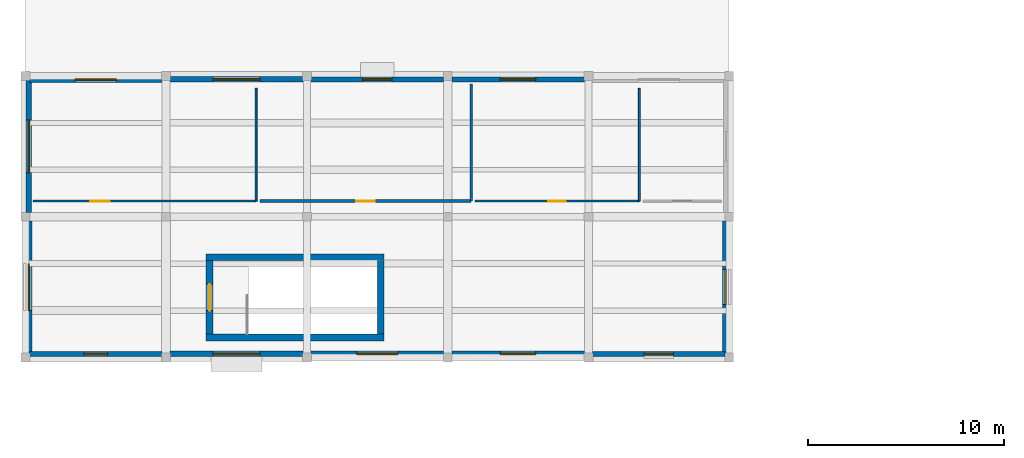
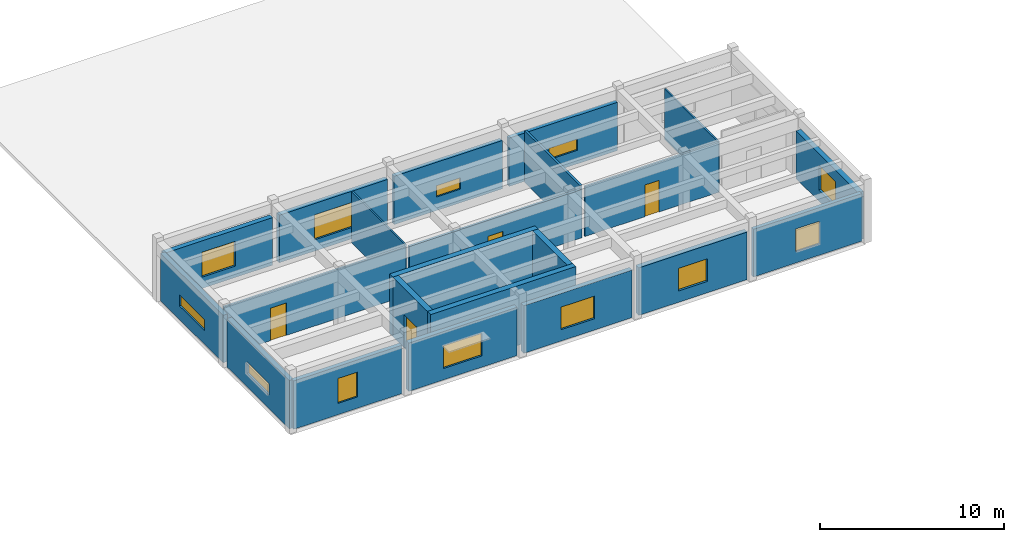
# One storey, part 38 of 60: 22 walls, 12 windows, 4 doors, 16 openings.
"""IFC4 building model written with IfcOpenShell, lengths in metres."""

from ifc_helpers import new_model, si_unit, direction, frame, frame_2d, origin, place, context, subcontext, project, spatial, rectangle, extrude, material, layer, layer_set, type_object, element, fill, save


model = new_model("IFC4")

# Units and contexts
model_context = context("Model", 3, precision=1e-05, world=origin(), true_north=direction((0.0, 1.0)))
body_context = subcontext(model_context, "Body", "Model", "MODEL_VIEW")
ifc_project = project(units=[si_unit("LENGTHUNIT", "METRE"), si_unit("AREAUNIT", "SQUARE_METRE"), si_unit("VOLUMEUNIT", "CUBIC_METRE"), si_unit("PLANEANGLEUNIT", "RADIAN"), si_unit("MASSUNIT", "GRAM", prefix="KILO")], contexts=[model_context])

# Site, building, storey
site_placement = place(None, origin())
site = spatial("IfcSite", under=ifc_project, at=site_placement, CompositionType="ELEMENT")
building_placement = place(site_placement, origin())
building = spatial("IfcBuilding", under=site, at=building_placement, Name="Brisavento Harbour Community Centre", CompositionType="ELEMENT")
storey_placement = place(building_placement, frame((0.0, 0.0, 4.5)))
storey = spatial("IfcBuildingStorey", under=building, at=storey_placement, Name="L01", CompositionType="ELEMENT", Elevation=4.5)

# Walls
ifc_material_1 = material(Name="Concrete C40/50", Category="concrete")
ifc_layer_1 = layer(ifc_material_1, 0.35009765625, Name="Concrete C40/50")
ifc_layer_set_1 = layer_set([ifc_layer_1], Name="Concrete C40/50")
wall_type_1 = type_object("IfcWallType", Name="WL-CORE-350", PredefinedType="SHEAR", material=ifc_layer_set_1)
for number, where, z_axis, x_axis, name in (
    (1, (9.25, 73.02490234375, 0.0), (0.0, 0.0, 1.0), (1.0, 0.0, 0.0), "L01 core C5 shear wall L"),
    (2, (18.35009765625, 77.125, 0.0), (0.0, 0.0, 1.0), (-1.0, 0.0, 0.0), "L01 core C5 shear wall R"),
):
    element("IfcWall", number, at=place(storey_placement, frame(where, z_axis=z_axis, x_axis=x_axis)), inside=storey, type_object=wall_type_1, Name=name, PredefinedType="SHEAR", context=body_context, shape_type="SweptSolid", body=[
        extrude(rectangle(XDim=9.10009765625, YDim=0.35009765625, at=frame_2d((4.550048828125, 0.0))), origin(), (0.0, 0.0, 1.0), 3.949951171875),
    ])
wall_1_placement = place(storey_placement, frame((18.175048828125, 73.199951171875, 0.0), z_axis=(0.0, 0.0, 1.0), x_axis=(0.0, 1.0, 0.0)))
element("IfcWall", 3, at=wall_1_placement, inside=storey, type_object=wall_type_1, Name="L01 core C5 shear wall F", PredefinedType="SHEAR", context=body_context, shape_type="SweptSolid", body=[
    extrude(rectangle(XDim=3.75, YDim=0.35009765625, at=frame_2d((1.875, 0.0))), origin(), (0.0, 0.0, 1.0), 3.949951171875),
])

# Wall, opening, door
wall_2_placement = place(storey_placement, frame((9.425048828125, 76.949951171875, 0.0), z_axis=(0.0, 0.0, 1.0), x_axis=(0.0, -1.0, 0.0)))
wall_2 = element("IfcWall", 4, at=wall_2_placement, inside=storey, type_object=wall_type_1, Name="L01 core C5 shear wall N", PredefinedType="SHEAR", context=body_context, shape_type="SweptSolid", body=[
    extrude(rectangle(XDim=3.75, YDim=0.35009765625, at=frame_2d((1.875, 0.0))), origin(), (0.0, 0.0, 1.0), 3.949951171875),
])
opening_1_placement = place(wall_2_placement, frame((1.199951171875, 0.0, 0.0)))
opening_1 = element("IfcOpeningElement", 5, at=opening_1_placement, cuts=wall_2, Name="Opening SD-02", PredefinedType="OPENING", context=body_context, shape_type="SweptSolid", body=[
    extrude(rectangle(XDim=1.35009765625, YDim=2.199951171875, at=frame_2d((0.675048828125, 1.10009765625))), frame((0.0, 0.18505859375, 0.0), z_axis=(0.0, -1.0, 0.0), x_axis=(1.0, 0.0, 0.0)), (0.0, 0.0, 1.0), 0.3701171875),
])
ifc_material_2 = material(Name="Fire-rated steel door assembly", Category="steel")
door_type_1 = type_object("IfcDoorType", Name="DR-STAIR-135x220", OperationType="NOTDEFINED", PredefinedType="DOOR", material=ifc_material_2)
door_1_placement = place(opening_1_placement, origin())
door_1 = element("IfcDoor", 6, at=door_1_placement, inside=storey, type_object=door_type_1, Name="L01 exit stair ST-07 fire door", OperationType="SINGLE_SWING_LEFT", OverallHeight=2.199951171875, OverallWidth=1.35009765625, PredefinedType="DOOR", context=body_context, shape_type="SweptSolid", body=[
    extrude(rectangle(XDim=1.35009765625, YDim=2.199951171875, at=frame_2d((0.675048828125, 1.10009765625))), frame((0.0, 0.02490234375, 0.0), z_axis=(0.0, -1.0, 0.0), x_axis=(1.0, 0.0, 0.0)), (0.0, 0.0, 1.0), 0.050048828125),
])
fill(opening_1, door_1)

# Wall, opening, window
ifc_material_3 = material(Name="Terracotta masonry unit", Category="masonry")
ifc_layer_2 = layer(ifc_material_3, 0.239990234375, Name="Terracotta masonry unit")
ifc_layer_set_2 = layer_set([ifc_layer_2], Name="Terracotta masonry unit")
wall_type_2 = type_object("IfcWallType", Name="WL-EXT-240", PredefinedType="SOLIDWALL", material=ifc_layer_set_2)
wall_3_placement = place(storey_placement, frame((35.7900390625, 72.179931640625, 0.0), z_axis=(0.0, 0.0, 1.0), x_axis=(-1.0, 0.0, 0.0)))
wall_3 = element("IfcWall", 7, at=wall_3_placement, inside=storey, type_object=wall_type_2, Name="L01 V5 exterior wall 0208", PredefinedType="SOLIDWALL", context=body_context, shape_type="SweptSolid", body=[
    extrude(rectangle(XDim=6.780029296875, YDim=0.239990234375, at=frame_2d((3.39013671875, 0.0))), origin(), (0.0, 0.0, 1.0), 3.14990234375),
])
opening_2_placement = place(wall_3_placement, frame((2.639892578125, 0.0, 0.75)))
opening_2 = element("IfcOpeningElement", 8, at=opening_2_placement, cuts=wall_3, Name="Opening W-15", PredefinedType="OPENING", context=body_context, shape_type="SweptSolid", body=[
    extrude(rectangle(XDim=1.5, YDim=1.5, at=frame_2d((0.75, 0.75))), frame((0.0, 0.1298828125, 0.0), z_axis=(0.0, -1.0, 0.0), x_axis=(1.0, 0.0, 0.0)), (0.0, 0.0, 1.0), 0.260009765625),
])
ifc_material_4 = material(Name="Solar-control laminated low-E glass", Category="glass")
window_type_1 = type_object("IfcWindowType", Name="WIN-CAS-15", PartitioningType="SINGLE_PANEL", PredefinedType="WINDOW", material=ifc_material_4)
window_1_placement = place(opening_2_placement, origin())
window_1 = element("IfcWindow", 9, at=window_1_placement, inside=storey, type_object=window_type_1, Name="L01 V5 impact casement window 0087", OverallHeight=1.5, OverallWidth=1.5, PartitioningType="SINGLE_PANEL", PredefinedType="WINDOW", context=body_context, shape_type="SweptSolid", body=[
    extrude(rectangle(XDim=1.5, YDim=1.5, at=frame_2d((0.75, 0.75))), frame((0.0, 0.030029296875, 0.0), z_axis=(0.0, -1.0, 0.0), x_axis=(1.0, 0.0, 0.0)), (0.0, 0.0, 1.0), 0.06005859375),
])
fill(opening_2, window_1)

wall_4_placement = place(storey_placement, frame((21.81005859375, 86.219970703125, 0.0), z_axis=(0.0, 0.0, 1.0), x_axis=(1.0, 0.0, 0.0)))
wall_4 = element("IfcWall", 10, at=wall_4_placement, inside=storey, type_object=wall_type_2, Name="L01 V5 exterior wall 0218", PredefinedType="SOLIDWALL", context=body_context, shape_type="SweptSolid", body=[
    extrude(rectangle(XDim=6.780029296875, YDim=0.239990234375, at=frame_2d((3.39013671875, 0.0))), origin(), (0.0, 0.0, 1.0), 3.199951171875),
])
opening_3_placement = place(wall_4_placement, frame((2.489990234375, 0.0, 0.89990234375)))
opening_3 = element("IfcOpeningElement", 11, at=opening_3_placement, cuts=wall_4, Name="Opening W-25", PredefinedType="OPENING", context=body_context, shape_type="SweptSolid", body=[
    extrude(rectangle(XDim=1.800048828125, YDim=0.75, at=frame_2d((0.89990234375, 0.375))), frame((0.0, 0.1298828125, 0.0), z_axis=(0.0, -1.0, 0.0), x_axis=(1.0, 0.0, 0.0)), (0.0, 0.0, 1.0), 0.260009765625),
])
window_type_2 = type_object("IfcWindowType", Name="WIN-CAS-25", PartitioningType="SINGLE_PANEL", PredefinedType="WINDOW", material=ifc_material_4)
window_2_placement = place(opening_3_placement, origin())
window_2 = element("IfcWindow", 12, at=window_2_placement, inside=storey, type_object=window_type_2, Name="L01 V5 impact casement window 0097", OverallHeight=0.75, OverallWidth=1.800048828125, PartitioningType="SINGLE_PANEL", PredefinedType="WINDOW", context=body_context, shape_type="SweptSolid", body=[
    extrude(rectangle(XDim=1.800048828125, YDim=0.75, at=frame_2d((0.89990234375, 0.375))), frame((0.0, 0.030029296875, 0.0), z_axis=(0.0, -1.0, 0.0), x_axis=(1.0, 0.0, 0.0)), (0.0, 0.0, 1.0), 0.06005859375),
])
fill(opening_3, window_2)

ifc_layer_3 = layer(ifc_material_3, 0.260009765625, Name="Terracotta masonry unit")
ifc_layer_set_3 = layer_set([ifc_layer_3], Name="Terracotta masonry unit")
wall_type_3 = type_object("IfcWallType", Name="WL-EXT-260", PredefinedType="SOLIDWALL", material=ifc_layer_set_3)
wall_5_placement = place(storey_placement, frame((6.989990234375, 72.179931640625, 0.0), z_axis=(0.0, 0.0, 1.0), x_axis=(-1.0, 0.0, 0.0)))
wall_5 = element("IfcWall", 13, at=wall_5_placement, inside=storey, type_object=wall_type_3, Name="L01 V5 exterior wall 0212", PredefinedType="SOLIDWALL", context=body_context, shape_type="SweptSolid", body=[
    extrude(rectangle(XDim=6.780029296875, YDim=0.260009765625, at=frame_2d((3.39013671875, 0.0))), origin(), (0.0, 0.0, 1.0), 3.199951171875),
])
opening_4_placement = place(wall_5_placement, frame((2.7900390625, 0.0, 0.75)))
opening_4 = element("IfcOpeningElement", 14, at=opening_4_placement, cuts=wall_5, Name="Opening W-19", PredefinedType="OPENING", context=body_context, shape_type="SweptSolid", body=[
    extrude(rectangle(XDim=1.199951171875, YDim=1.64990234375, at=frame_2d((0.60009765625, 0.824951171875))), frame((0.0, 0.14013671875, 0.0), z_axis=(0.0, -1.0, 0.0), x_axis=(1.0, 0.0, 0.0)), (0.0, 0.0, 1.0), 0.280029296875),
])
window_type_3 = type_object("IfcWindowType", Name="WIN-CAS-19", PartitioningType="SINGLE_PANEL", PredefinedType="WINDOW", material=ifc_material_4)
window_3_placement = place(opening_4_placement, origin())
window_3 = element("IfcWindow", 15, at=window_3_placement, inside=storey, type_object=window_type_3, Name="L01 V5 impact casement window 0091", OverallHeight=1.64990234375, OverallWidth=1.199951171875, PartitioningType="SINGLE_PANEL", PredefinedType="WINDOW", context=body_context, shape_type="SweptSolid", body=[
    extrude(rectangle(XDim=1.199951171875, YDim=1.64990234375, at=frame_2d((0.60009765625, 0.824951171875))), frame((0.0, 0.030029296875, 0.0), z_axis=(0.0, -1.0, 0.0), x_axis=(1.0, 0.0, 0.0)), (0.0, 0.0, 1.0), 0.06005859375),
])
fill(opening_4, window_3)

wall_6_placement = place(storey_placement, frame((14.610107421875, 86.219970703125, 0.0), z_axis=(0.0, 0.0, 1.0), x_axis=(1.0, 0.0, 0.0)))
wall_6 = element("IfcWall", 16, at=wall_6_placement, inside=storey, type_object=wall_type_3, Name="L01 V5 exterior wall 0217", PredefinedType="SOLIDWALL", context=body_context, shape_type="SweptSolid", body=[
    extrude(rectangle(XDim=6.77978515625, YDim=0.260009765625, at=frame_2d((3.389892578125, 0.0))), origin(), (0.0, 0.0, 1.0), 3.199951171875),
])
opening_5_placement = place(wall_6_placement, frame((2.639892578125, 0.0, 0.89990234375)))
opening_5 = element("IfcOpeningElement", 17, at=opening_5_placement, cuts=wall_6, Name="Opening W-24", PredefinedType="OPENING", context=body_context, shape_type="SweptSolid", body=[
    extrude(rectangle(XDim=1.5, YDim=0.75, at=frame_2d((0.75, 0.375))), frame((0.0, 0.14013671875, 0.0), z_axis=(0.0, -1.0, 0.0), x_axis=(1.0, 0.0, 0.0)), (0.0, 0.0, 1.0), 0.280029296875),
])
window_type_4 = type_object("IfcWindowType", Name="WIN-CAS-24", PartitioningType="SINGLE_PANEL", PredefinedType="WINDOW", material=ifc_material_4)
window_4_placement = place(opening_5_placement, origin())
window_4 = element("IfcWindow", 18, at=window_4_placement, inside=storey, type_object=window_type_4, Name="L01 V5 impact casement window 0096", OverallHeight=0.75, OverallWidth=1.5, PartitioningType="SINGLE_PANEL", PredefinedType="WINDOW", context=body_context, shape_type="SweptSolid", body=[
    extrude(rectangle(XDim=1.5, YDim=0.75, at=frame_2d((0.75, 0.375))), frame((0.0, 0.030029296875, 0.0), z_axis=(0.0, -1.0, 0.0), x_axis=(1.0, 0.0, 0.0)), (0.0, 0.0, 1.0), 0.06005859375),
])
fill(opening_5, window_4)

ifc_material_5 = material(Name="Precast concrete C40/50", Category="concrete")
ifc_layer_4 = layer(ifc_material_5, 0.280029296875, Name="Precast concrete C40/50")
ifc_layer_set_4 = layer_set([ifc_layer_4], Name="Precast concrete C40/50")
wall_type_4 = type_object("IfcWallType", Name="WL-EXT-280", PredefinedType="SOLIDWALL", material=ifc_layer_set_4)
wall_7_placement = place(storey_placement, frame((14.18994140625, 72.179931640625, 0.0), z_axis=(0.0, 0.0, 1.0), x_axis=(-1.0, 0.0, 0.0)))
wall_7 = element("IfcWall", 19, at=wall_7_placement, inside=storey, type_object=wall_type_4, Name="L01 V5 exterior wall 0211", PredefinedType="SOLIDWALL", context=body_context, shape_type="SweptSolid", body=[
    extrude(rectangle(XDim=6.780029296875, YDim=0.280029296875, at=frame_2d((3.39013671875, 0.0))), origin(), (0.0, 0.0, 1.0), 3.199951171875),
])
opening_6_placement = place(wall_7_placement, frame((2.18994140625, 0.0, 0.75)))
opening_6 = element("IfcOpeningElement", 20, at=opening_6_placement, cuts=wall_7, Name="Opening W-18", PredefinedType="OPENING", context=body_context, shape_type="SweptSolid", body=[
    extrude(rectangle(XDim=2.39990234375, YDim=1.5, at=frame_2d((1.199951171875, 0.75))), frame((0.0, 0.14990234375, 0.0), z_axis=(0.0, -1.0, 0.0), x_axis=(1.0, 0.0, 0.0)), (0.0, 0.0, 1.0), 0.300048828125),
])
window_type_5 = type_object("IfcWindowType", Name="WIN-CAS-18", PartitioningType="SINGLE_PANEL", PredefinedType="WINDOW", material=ifc_material_4)
window_5_placement = place(opening_6_placement, origin())
window_5 = element("IfcWindow", 21, at=window_5_placement, inside=storey, type_object=window_type_5, Name="L01 V5 impact casement window 0090", OverallHeight=1.5, OverallWidth=2.39990234375, PartitioningType="SINGLE_PANEL", PredefinedType="WINDOW", context=body_context, shape_type="SweptSolid", body=[
    extrude(rectangle(XDim=2.39990234375, YDim=1.5, at=frame_2d((1.199951171875, 0.75))), frame((0.0, 0.030029296875, 0.0), z_axis=(0.0, -1.0, 0.0), x_axis=(1.0, 0.0, 0.0)), (0.0, 0.0, 1.0), 0.06005859375),
])
fill(opening_6, window_5)

wall_8_placement = place(storey_placement, frame((7.409912109375, 86.219970703125, 0.0), z_axis=(0.0, 0.0, 1.0), x_axis=(1.0, 0.0, 0.0)))
wall_8 = element("IfcWall", 22, at=wall_8_placement, inside=storey, type_object=wall_type_4, Name="L01 V5 exterior wall 0216", PredefinedType="SOLIDWALL", context=body_context, shape_type="SweptSolid", body=[
    extrude(rectangle(XDim=6.780029296875, YDim=0.280029296875, at=frame_2d((3.39013671875, 0.0))), origin(), (0.0, 0.0, 1.0), 3.14990234375),
])
opening_7_placement = place(wall_8_placement, frame((2.18994140625, 0.0, 0.75)))
opening_7 = element("IfcOpeningElement", 23, at=opening_7_placement, cuts=wall_8, Name="Opening W-23", PredefinedType="OPENING", context=body_context, shape_type="SweptSolid", body=[
    extrude(rectangle(XDim=2.39990234375, YDim=1.64990234375, at=frame_2d((1.199951171875, 0.824951171875))), frame((0.0, 0.14990234375, 0.0), z_axis=(0.0, -1.0, 0.0), x_axis=(1.0, 0.0, 0.0)), (0.0, 0.0, 1.0), 0.300048828125),
])
window_type_6 = type_object("IfcWindowType", Name="WIN-CAS-23", PartitioningType="SINGLE_PANEL", PredefinedType="WINDOW", material=ifc_material_4)
window_6_placement = place(opening_7_placement, origin())
window_6 = element("IfcWindow", 24, at=window_6_placement, inside=storey, type_object=window_type_6, Name="L01 V5 impact casement window 0095", OverallHeight=1.64990234375, OverallWidth=2.39990234375, PartitioningType="SINGLE_PANEL", PredefinedType="WINDOW", context=body_context, shape_type="SweptSolid", body=[
    extrude(rectangle(XDim=2.39990234375, YDim=1.64990234375, at=frame_2d((1.199951171875, 0.824951171875))), frame((0.0, 0.030029296875, 0.0), z_axis=(0.0, -1.0, 0.0), x_axis=(1.0, 0.0, 0.0)), (0.0, 0.0, 1.0), 0.06005859375),
])
fill(opening_7, window_6)

wall_9_placement = place(storey_placement, frame((0.179931640625, 79.409912109375, 0.0), z_axis=(0.0, 0.0, 1.0), x_axis=(0.0, 1.0, 0.0)))
wall_9 = element("IfcWall", 25, at=wall_9_placement, inside=storey, type_object=wall_type_4, Name="L01 V5 exterior wall 0221", PredefinedType="SOLIDWALL", context=body_context, shape_type="SweptSolid", body=[
    extrude(rectangle(XDim=6.780029296875, YDim=0.280029296875, at=frame_2d((3.39013671875, 0.0))), origin(), (0.0, 0.0, 1.0), 3.14990234375),
])
opening_8_placement = place(wall_9_placement, frame((2.0400390625, 0.0, 0.89990234375)))
opening_8 = element("IfcOpeningElement", 26, at=opening_8_placement, cuts=wall_9, Name="Opening W-28", PredefinedType="OPENING", context=body_context, shape_type="SweptSolid", body=[
    extrude(rectangle(XDim=2.699951171875, YDim=0.75, at=frame_2d((1.35009765625, 0.375))), frame((0.0, 0.14990234375, 0.0), z_axis=(0.0, -1.0, 0.0), x_axis=(1.0, 0.0, 0.0)), (0.0, 0.0, 1.0), 0.300048828125),
])
window_type_7 = type_object("IfcWindowType", Name="WIN-CAS-28", PartitioningType="SINGLE_PANEL", PredefinedType="WINDOW", material=ifc_material_4)
window_7_placement = place(opening_8_placement, origin())
window_7 = element("IfcWindow", 27, at=window_7_placement, inside=storey, type_object=window_type_7, Name="L01 V5 impact casement window 0100", OverallHeight=0.75, OverallWidth=2.699951171875, PartitioningType="SINGLE_PANEL", PredefinedType="WINDOW", context=body_context, shape_type="SweptSolid", body=[
    extrude(rectangle(XDim=2.699951171875, YDim=0.75, at=frame_2d((1.35009765625, 0.375))), frame((0.0, 0.030029296875, 0.0), z_axis=(0.0, -1.0, 0.0), x_axis=(1.0, 0.0, 0.0)), (0.0, 0.0, 1.0), 0.06005859375),
])
fill(opening_8, window_7)

ifc_material_6 = material(Name="Concrete C35/45", Category="concrete")
ifc_layer_5 = layer(ifc_material_6, 0.300048828125, Name="Concrete C35/45")
ifc_layer_set_5 = layer_set([ifc_layer_5], Name="Concrete C35/45")
wall_type_5 = type_object("IfcWallType", Name="WL-EXT-300", PredefinedType="SOLIDWALL", material=ifc_layer_set_5)
wall_10_placement = place(storey_placement, frame((21.389892578125, 72.179931640625, 0.0), z_axis=(0.0, 0.0, 1.0), x_axis=(-1.0, 0.0, 0.0)))
wall_10 = element("IfcWall", 28, at=wall_10_placement, inside=storey, type_object=wall_type_5, Name="L01 V5 exterior wall 0210", PredefinedType="SOLIDWALL", context=body_context, shape_type="SweptSolid", body=[
    extrude(rectangle(XDim=6.77978515625, YDim=0.300048828125, at=frame_2d((3.389892578125, 0.0))), origin(), (0.0, 0.0, 1.0), 3.14990234375),
])
opening_9_placement = place(wall_10_placement, frame((2.340087890625, 0.0, 0.75)))
opening_9 = element("IfcOpeningElement", 29, at=opening_9_placement, cuts=wall_10, Name="Opening W-17", PredefinedType="OPENING", context=body_context, shape_type="SweptSolid", body=[
    extrude(rectangle(XDim=2.10009765625, YDim=1.5, at=frame_2d((1.050048828125, 0.75))), frame((0.0, 0.16015625, 0.0), z_axis=(0.0, -1.0, 0.0), x_axis=(1.0, 0.0, 0.0)), (0.0, 0.0, 1.0), 0.320068359375),
])
window_type_8 = type_object("IfcWindowType", Name="WIN-CAS-17", PartitioningType="SINGLE_PANEL", PredefinedType="WINDOW", material=ifc_material_4)
window_8_placement = place(opening_9_placement, origin())
window_8 = element("IfcWindow", 30, at=window_8_placement, inside=storey, type_object=window_type_8, Name="L01 V5 impact casement window 0089", OverallHeight=1.5, OverallWidth=2.10009765625, PartitioningType="SINGLE_PANEL", PredefinedType="WINDOW", context=body_context, shape_type="SweptSolid", body=[
    extrude(rectangle(XDim=2.10009765625, YDim=1.5, at=frame_2d((1.050048828125, 0.75))), frame((0.0, 0.030029296875, 0.0), z_axis=(0.0, -1.0, 0.0), x_axis=(1.0, 0.0, 0.0)), (0.0, 0.0, 1.0), 0.06005859375),
])
fill(opening_9, window_8)

wall_11_placement = place(storey_placement, frame((0.2099609375, 86.219970703125, 0.0), z_axis=(0.0, 0.0, 1.0), x_axis=(1.0, 0.0, 0.0)))
wall_11 = element("IfcWall", 31, at=wall_11_placement, inside=storey, type_object=wall_type_5, Name="L01 V5 exterior wall 0215", PredefinedType="SOLIDWALL", context=body_context, shape_type="SweptSolid", body=[
    extrude(rectangle(XDim=6.780029296875, YDim=0.300048828125, at=frame_2d((3.39013671875, 0.0))), origin(), (0.0, 0.0, 1.0), 3.14990234375),
])
opening_10_placement = place(wall_11_placement, frame((2.340087890625, 0.0, 0.75)))
opening_10 = element("IfcOpeningElement", 32, at=opening_10_placement, cuts=wall_11, Name="Opening W-22", PredefinedType="OPENING", context=body_context, shape_type="SweptSolid", body=[
    extrude(rectangle(XDim=2.10009765625, YDim=1.64990234375, at=frame_2d((1.050048828125, 0.824951171875))), frame((0.0, 0.16015625, 0.0), z_axis=(0.0, -1.0, 0.0), x_axis=(1.0, 0.0, 0.0)), (0.0, 0.0, 1.0), 0.320068359375),
])
window_type_9 = type_object("IfcWindowType", Name="WIN-CAS-22", PartitioningType="SINGLE_PANEL", PredefinedType="WINDOW", material=ifc_material_4)
window_9_placement = place(opening_10_placement, origin())
window_9 = element("IfcWindow", 33, at=window_9_placement, inside=storey, type_object=window_type_9, Name="L01 V5 impact casement window 0094", OverallHeight=1.64990234375, OverallWidth=2.10009765625, PartitioningType="SINGLE_PANEL", PredefinedType="WINDOW", context=body_context, shape_type="SweptSolid", body=[
    extrude(rectangle(XDim=2.10009765625, YDim=1.64990234375, at=frame_2d((1.050048828125, 0.824951171875))), frame((0.0, 0.030029296875, 0.0), z_axis=(0.0, -1.0, 0.0), x_axis=(1.0, 0.0, 0.0)), (0.0, 0.0, 1.0), 0.06005859375),
])
fill(opening_10, window_9)

wall_12_placement = place(storey_placement, frame((0.179931640625, 72.2099609375, 0.0), z_axis=(0.0, 0.0, 1.0), x_axis=(0.0, 1.0, 0.0)))
wall_12 = element("IfcWall", 34, at=wall_12_placement, inside=storey, type_object=wall_type_5, Name="L01 V5 exterior wall 0220", PredefinedType="SOLIDWALL", context=body_context, shape_type="SweptSolid", body=[
    extrude(rectangle(XDim=6.780029296875, YDim=0.300048828125, at=frame_2d((3.39013671875, 0.0))), origin(), (0.0, 0.0, 1.0), 3.18994140625),
])
opening_11_placement = place(wall_12_placement, frame((2.18994140625, 0.0, 0.89990234375)))
opening_11 = element("IfcOpeningElement", 35, at=opening_11_placement, cuts=wall_12, Name="Opening W-27", PredefinedType="OPENING", context=body_context, shape_type="SweptSolid", body=[
    extrude(rectangle(XDim=2.39990234375, YDim=0.75, at=frame_2d((1.199951171875, 0.375))), frame((0.0, 0.16015625, 0.0), z_axis=(0.0, -1.0, 0.0), x_axis=(1.0, 0.0, 0.0)), (0.0, 0.0, 1.0), 0.320068359375),
])
window_type_10 = type_object("IfcWindowType", Name="WIN-CAS-27", PartitioningType="SINGLE_PANEL", PredefinedType="WINDOW", material=ifc_material_4)
window_10_placement = place(opening_11_placement, origin())
window_10 = element("IfcWindow", 36, at=window_10_placement, inside=storey, type_object=window_type_10, Name="L01 V5 impact casement window 0099", OverallHeight=0.75, OverallWidth=2.39990234375, PartitioningType="SINGLE_PANEL", PredefinedType="WINDOW", context=body_context, shape_type="SweptSolid", body=[
    extrude(rectangle(XDim=2.39990234375, YDim=0.75, at=frame_2d((1.199951171875, 0.375))), frame((0.0, 0.030029296875, 0.0), z_axis=(0.0, -1.0, 0.0), x_axis=(1.0, 0.0, 0.0)), (0.0, 0.0, 1.0), 0.06005859375),
])
fill(opening_11, window_10)

ifc_layer_6 = layer(ifc_material_6, 0.320068359375, Name="Concrete C35/45")
ifc_layer_set_6 = layer_set([ifc_layer_6], Name="Concrete C35/45")
wall_type_6 = type_object("IfcWallType", Name="WL-EXT-320", PredefinedType="SOLIDWALL", material=ifc_layer_set_6)
wall_13_placement = place(storey_placement, frame((28.590087890625, 72.179931640625, 0.0), z_axis=(0.0, 0.0, 1.0), x_axis=(-1.0, 0.0, 0.0)))
wall_13 = element("IfcWall", 37, at=wall_13_placement, inside=storey, type_object=wall_type_6, Name="L01 V5 exterior wall 0209", PredefinedType="SOLIDWALL", context=body_context, shape_type="SweptSolid", body=[
    extrude(rectangle(XDim=6.780029296875, YDim=0.320068359375, at=frame_2d((3.39013671875, 0.0))), origin(), (0.0, 0.0, 1.0), 3.14990234375),
])
opening_12_placement = place(wall_13_placement, frame((2.489990234375, 0.0, 0.75)))
opening_12 = element("IfcOpeningElement", 38, at=opening_12_placement, cuts=wall_13, Name="Opening W-16", PredefinedType="OPENING", context=body_context, shape_type="SweptSolid", body=[
    extrude(rectangle(XDim=1.800048828125, YDim=1.5, at=frame_2d((0.89990234375, 0.75))), frame((0.0, 0.169921875, 0.0), z_axis=(0.0, -1.0, 0.0), x_axis=(1.0, 0.0, 0.0)), (0.0, 0.0, 1.0), 0.340087890625),
])
window_type_11 = type_object("IfcWindowType", Name="WIN-CAS-16", PartitioningType="SINGLE_PANEL", PredefinedType="WINDOW", material=ifc_material_4)
window_11_placement = place(opening_12_placement, origin())
window_11 = element("IfcWindow", 39, at=window_11_placement, inside=storey, type_object=window_type_11, Name="L01 V5 impact casement window 0088", OverallHeight=1.5, OverallWidth=1.800048828125, PartitioningType="SINGLE_PANEL", PredefinedType="WINDOW", context=body_context, shape_type="SweptSolid", body=[
    extrude(rectangle(XDim=1.800048828125, YDim=1.5, at=frame_2d((0.89990234375, 0.75))), frame((0.0, 0.030029296875, 0.0), z_axis=(0.0, -1.0, 0.0), x_axis=(1.0, 0.0, 0.0)), (0.0, 0.0, 1.0), 0.06005859375),
])
fill(opening_12, window_11)

wall_14_placement = place(storey_placement, frame((35.820068359375, 78.989990234375, 0.0), z_axis=(0.0, 0.0, 1.0), x_axis=(0.0, -1.0, 0.0)))
wall_14 = element("IfcWall", 40, at=wall_14_placement, inside=storey, type_object=wall_type_6, Name="L01 V5 exterior wall 0214", PredefinedType="SOLIDWALL", context=body_context, shape_type="SweptSolid", body=[
    extrude(rectangle(XDim=6.780029296875, YDim=0.320068359375, at=frame_2d((3.39013671875, 0.0))), origin(), (0.0, 0.0, 1.0), 3.14990234375),
])
opening_13_placement = place(wall_14_placement, frame((2.489990234375, 0.0, 0.75)))
opening_13 = element("IfcOpeningElement", 41, at=opening_13_placement, cuts=wall_14, Name="Opening W-21", PredefinedType="OPENING", context=body_context, shape_type="SweptSolid", body=[
    extrude(rectangle(XDim=1.800048828125, YDim=1.64990234375, at=frame_2d((0.89990234375, 0.824951171875))), frame((0.0, 0.169921875, 0.0), z_axis=(0.0, -1.0, 0.0), x_axis=(1.0, 0.0, 0.0)), (0.0, 0.0, 1.0), 0.340087890625),
])
window_type_12 = type_object("IfcWindowType", Name="WIN-CAS-21", PartitioningType="SINGLE_PANEL", PredefinedType="WINDOW", material=ifc_material_4)
window_12_placement = place(opening_13_placement, origin())
window_12 = element("IfcWindow", 42, at=window_12_placement, inside=storey, type_object=window_type_12, Name="L01 V5 impact casement window 0093", OverallHeight=1.64990234375, OverallWidth=1.800048828125, PartitioningType="SINGLE_PANEL", PredefinedType="WINDOW", context=body_context, shape_type="SweptSolid", body=[
    extrude(rectangle(XDim=1.800048828125, YDim=1.64990234375, at=frame_2d((0.89990234375, 0.824951171875))), frame((0.0, 0.030029296875, 0.0), z_axis=(0.0, -1.0, 0.0), x_axis=(1.0, 0.0, 0.0)), (0.0, 0.0, 1.0), 0.06005859375),
])
fill(opening_13, window_12)

# Walls
ifc_material_7 = material(Name="Lightweight stud partition", Category="other")
ifc_layer_7 = layer(ifc_material_7, 0.10009765625, Name="Lightweight stud partition")
ifc_layer_set_7 = layer_set([ifc_layer_7], Name="Lightweight stud partition")
wall_type_7 = type_object("IfcWallType", Name="WL-PRT-100", PredefinedType="PARTITIONING", material=ifc_layer_set_7)
wall_15_placement = place(storey_placement, frame((11.800048828125, 80.0, 0.0), z_axis=(0.0, 0.0, 1.0), x_axis=(0.0, 1.0, 0.0)))
element("IfcWall", 43, at=wall_15_placement, inside=storey, type_object=wall_type_7, Name="L01 Nutrition Classroom partition 0183", PredefinedType="PARTITIONING", context=body_context, shape_type="SweptSolid", body=[
    extrude(rectangle(XDim=5.77001953125, YDim=0.10009765625, at=frame_2d((2.885009765625, 0.0))), origin(), (0.0, 0.0, 1.0), 3.389892578125),
])
wall_16_placement = place(storey_placement, frame((31.39990234375, 80.0, 0.0), z_axis=(0.0, 0.0, 1.0), x_axis=(0.0, 1.0, 0.0)))
element("IfcWall", 44, at=wall_16_placement, inside=storey, type_object=wall_type_7, Name="L01 Community Dietetics Advisory Room partition 0187", PredefinedType="PARTITIONING", context=body_context, shape_type="SweptSolid", body=[
    extrude(rectangle(XDim=5.77001953125, YDim=0.10009765625, at=frame_2d((2.885009765625, 0.0))), origin(), (0.0, 0.0, 1.0), 3.330078125),
])

# Wall, opening, door
ifc_material_8 = material(Name="Gypsum metal-stud partition", Category="other")
ifc_layer_8 = layer(ifc_material_8, 0.1201171875, Name="Gypsum metal-stud partition")
ifc_layer_set_8 = layer_set([ifc_layer_8], Name="Gypsum metal-stud partition")
wall_type_8 = type_object("IfcWallType", Name="WL-PRT-120", PredefinedType="PARTITIONING", material=ifc_layer_set_8)
wall_17_placement = place(storey_placement, frame((0.39990234375, 80.0, 0.0), z_axis=(0.0, 0.0, 1.0), x_axis=(1.0, 0.0, 0.0)))
wall_17 = element("IfcWall", 45, at=wall_17_placement, inside=storey, type_object=wall_type_8, Name="L01 Nutrition Classroom partition 0182", PredefinedType="PARTITIONING", context=body_context, shape_type="SweptSolid", body=[
    extrude(rectangle(XDim=11.400146484375, YDim=0.1201171875, at=frame_2d((5.7001953125, 0.0))), origin(), (0.0, 0.0, 1.0), 3.25),
])
opening_14_placement = place(wall_17_placement, frame((2.919921875, 0.0, 0.0)))
opening_14 = element("IfcOpeningElement", 46, at=opening_14_placement, cuts=wall_17, Name="Opening ID-09", PredefinedType="OPENING", context=body_context, shape_type="SweptSolid", body=[
    extrude(rectangle(XDim=1.0, YDim=2.14990234375, at=frame_2d((0.5, 1.074951171875))), frame((0.0, 0.070068359375, 0.0), z_axis=(0.0, -1.0, 0.0), x_axis=(1.0, 0.0, 0.0)), (0.0, 0.0, 1.0), 0.14013671875),
])
ifc_material_9 = material(Name="Solid-core tropical timber door", Category="wood")
door_type_2 = type_object("IfcDoorType", Name="DR-INT-100x215", OperationType="NOTDEFINED", PredefinedType="DOOR", material=ifc_material_9)
door_2_placement = place(opening_14_placement, origin())
door_2 = element("IfcDoor", 47, at=door_2_placement, inside=storey, type_object=door_type_2, Name="L01 Nutrition Classroom door 0064", OperationType="SINGLE_SWING_LEFT", OverallHeight=2.14990234375, OverallWidth=1.0, PredefinedType="DOOR", context=body_context, shape_type="SweptSolid", body=[
    extrude(rectangle(XDim=1.0, YDim=2.14990234375, at=frame_2d((0.5, 1.074951171875))), frame((0.0, 0.02490234375, 0.0), z_axis=(0.0, -1.0, 0.0), x_axis=(1.0, 0.0, 0.0)), (0.0, 0.0, 1.0), 0.050048828125),
])
fill(opening_14, door_2)

wall_18_placement = place(storey_placement, frame((23.0, 80.0, 0.0), z_axis=(0.0, 0.0, 1.0), x_axis=(1.0, 0.0, 0.0)))
wall_18 = element("IfcWall", 48, at=wall_18_placement, inside=storey, type_object=wall_type_8, Name="L01 Community Dietetics Advisory Room partition 0186", PredefinedType="PARTITIONING", context=body_context, shape_type="SweptSolid", body=[
    extrude(rectangle(XDim=8.39990234375, YDim=0.1201171875, at=frame_2d((4.199951171875, 0.0))), origin(), (0.0, 0.0, 1.0), 3.300048828125),
])
opening_15_placement = place(wall_18_placement, frame((3.75, 0.0, 0.0)))
opening_15 = element("IfcOpeningElement", 49, at=opening_15_placement, cuts=wall_18, Name="Opening ID-11", PredefinedType="OPENING", context=body_context, shape_type="SweptSolid", body=[
    extrude(rectangle(XDim=0.89990234375, YDim=2.10009765625, at=frame_2d((0.449951171875, 1.050048828125))), frame((0.0, 0.070068359375, 0.0), z_axis=(0.0, -1.0, 0.0), x_axis=(1.0, 0.0, 0.0)), (0.0, 0.0, 1.0), 0.14013671875),
])
door_type_3 = type_object("IfcDoorType", Name="DR-INT-090x210", OperationType="NOTDEFINED", PredefinedType="DOOR", material=ifc_material_9)
door_3_placement = place(opening_15_placement, origin())
door_3 = element("IfcDoor", 50, at=door_3_placement, inside=storey, type_object=door_type_3, Name="L01 Community Dietetics Advisory Room door 0066", OperationType="SINGLE_SWING_LEFT", OverallHeight=2.10009765625, OverallWidth=0.89990234375, PredefinedType="DOOR", context=body_context, shape_type="SweptSolid", body=[
    extrude(rectangle(XDim=0.89990234375, YDim=2.10009765625, at=frame_2d((0.449951171875, 1.050048828125))), frame((0.0, 0.02490234375, 0.0), z_axis=(0.0, -1.0, 0.0), x_axis=(1.0, 0.0, 0.0)), (0.0, 0.0, 1.0), 0.050048828125),
])
fill(opening_15, door_3)

# Wall
ifc_layer_9 = layer(ifc_material_8, 0.139892578125, Name="Gypsum metal-stud partition")
ifc_layer_set_9 = layer_set([ifc_layer_9], Name="Gypsum metal-stud partition")
wall_type_9 = type_object("IfcWallType", Name="WL-PRT-140", PredefinedType="PARTITIONING", material=ifc_layer_set_9)
wall_19_placement = place(storey_placement, frame((22.800048828125, 80.0, 0.0), z_axis=(0.0, 0.0, 1.0), x_axis=(0.0, 1.0, 0.0)))
element("IfcWall", 51, at=wall_19_placement, inside=storey, type_object=wall_type_9, Name="L01 Culinary Training Seminar Room partition 0185", PredefinedType="PARTITIONING", context=body_context, shape_type="SweptSolid", body=[
    extrude(rectangle(XDim=6.0, YDim=0.139892578125, at=frame_2d((3.0, 0.0))), origin(), (0.0, 0.0, 1.0), 3.429931640625),
])

# Wall, opening, door
ifc_material_10 = material(Name="Moisture-resistant stud partition", Category="other")
ifc_layer_10 = layer(ifc_material_10, 0.14990234375, Name="Moisture-resistant stud partition")
ifc_layer_set_10 = layer_set([ifc_layer_10], Name="Moisture-resistant stud partition")
wall_type_10 = type_object("IfcWallType", Name="WL-PRT-150", PredefinedType="PARTITIONING", material=ifc_layer_set_10)
wall_20_placement = place(storey_placement, frame((12.0, 80.0, 0.0), z_axis=(0.0, 0.0, 1.0), x_axis=(1.0, 0.0, 0.0)))
wall_20 = element("IfcWall", 52, at=wall_20_placement, inside=storey, type_object=wall_type_10, Name="L01 Culinary Training Seminar Room partition 0184", PredefinedType="PARTITIONING", context=body_context, shape_type="SweptSolid", body=[
    extrude(rectangle(XDim=10.800048828125, YDim=0.14990234375, at=frame_2d((5.39990234375, 0.0))), origin(), (0.0, 0.0, 1.0), 3.199951171875),
])
opening_16_placement = place(wall_20_placement, frame((4.925048828125, 0.0, 0.0)))
opening_16 = element("IfcOpeningElement", 53, at=opening_16_placement, cuts=wall_20, Name="Opening ID-10", PredefinedType="OPENING", context=body_context, shape_type="SweptSolid", body=[
    extrude(rectangle(XDim=0.949951171875, YDim=2.14990234375, at=frame_2d((0.47509765625, 1.074951171875))), frame((0.0, 0.0849609375, 0.0), z_axis=(0.0, -1.0, 0.0), x_axis=(1.0, 0.0, 0.0)), (0.0, 0.0, 1.0), 0.169921875),
])
door_type_4 = type_object("IfcDoorType", Name="DR-INT-095x215", OperationType="NOTDEFINED", PredefinedType="DOOR", material=ifc_material_9)
door_4_placement = place(opening_16_placement, origin())
door_4 = element("IfcDoor", 54, at=door_4_placement, inside=storey, type_object=door_type_4, Name="L01 Culinary Training Seminar Room door 0065", OperationType="SINGLE_SWING_RIGHT", OverallHeight=2.14990234375, OverallWidth=0.949951171875, PredefinedType="DOOR", context=body_context, shape_type="SweptSolid", body=[
    extrude(rectangle(XDim=0.949951171875, YDim=2.14990234375, at=frame_2d((0.47509765625, 1.074951171875))), frame((0.0, 0.02490234375, 0.0), z_axis=(0.0, -1.0, 0.0), x_axis=(1.0, 0.0, 0.0)), (0.0, 0.0, 1.0), 0.050048828125),
])
fill(opening_16, door_4)

save(model, "model.ifc")
